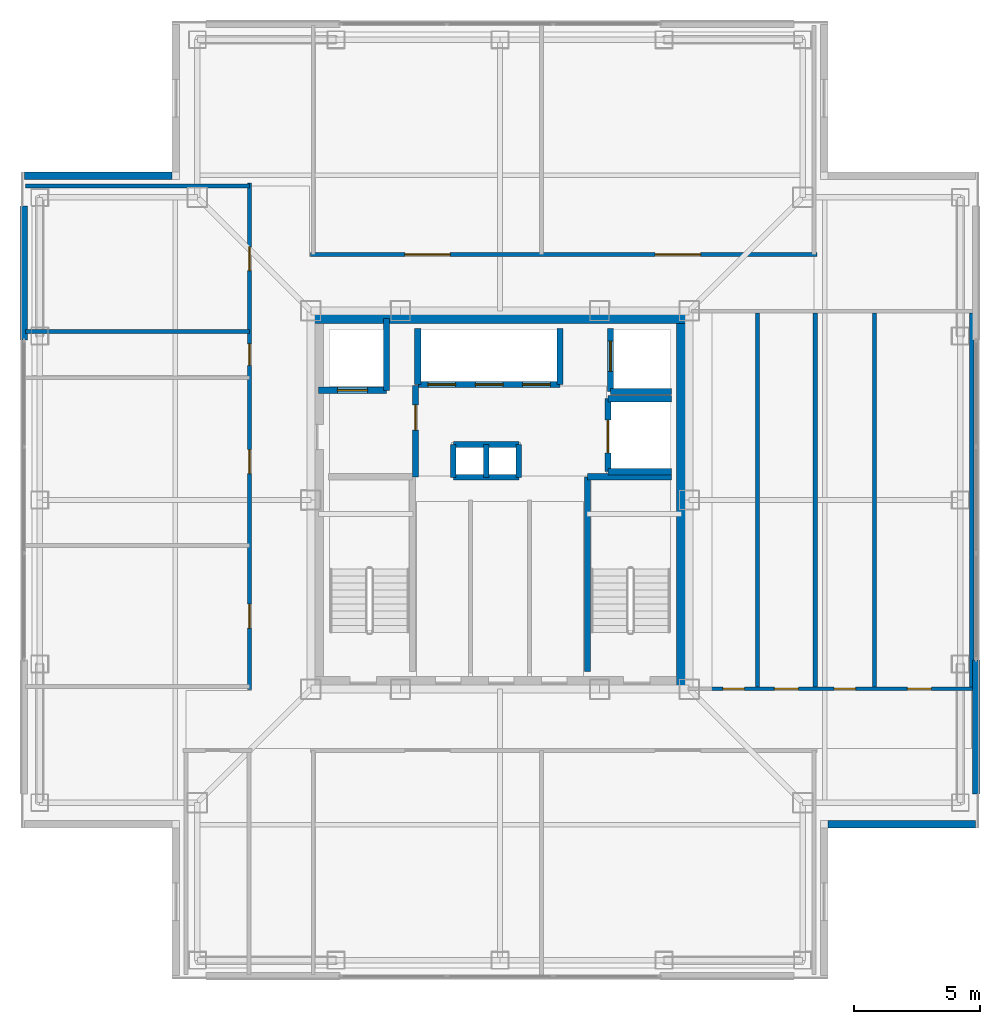
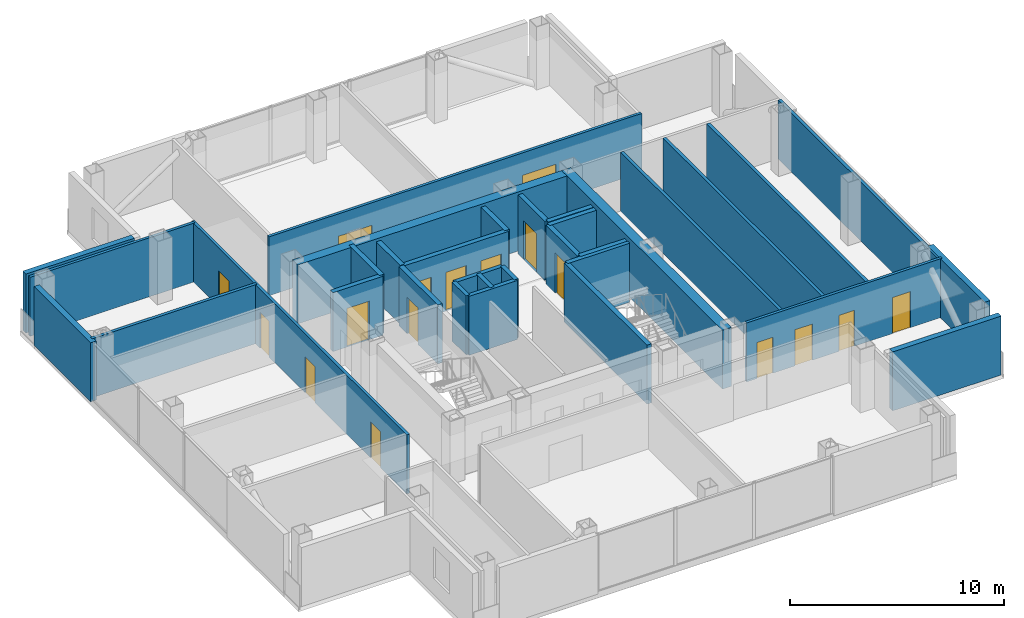
# One storey, part 9 of 16: 33 walls, 17 doors, 17 openings.
"""IFC4 building model written with IfcOpenShell, lengths in metres."""

import ifcopenshell
import ifcopenshell.guid

model = None  # the IFC model being written
_history = None  # IfcOwnerHistory: only IFC2X3 demands one
_inside = {}  # id of a spatial element -> (the spatial element, [elements in it])
_under = {}  # id of a project, library or spatial element -> (it, [spatial elements below it])
_declared = {}  # id of a project -> (the project, [libraries it declares])
_typed = {}  # id of a type object -> (the type object, [elements of that type])
_made_of = {}  # id of a material, layer set ... -> (it, [elements and type objects made of it])


def new_model(schema):
    """Start an empty IFC model of exactly this schema.

    Asked for "IFC4X3", IfcOpenShell would pick the latest addendum, in which some entities
    have other attributes; the version numbers below select the first issue.
    IFC2X3 requires an IfcOwnerHistory on every rooted entity: one is made here for all.
    """
    global model, _history
    if schema == "IFC4X3":
        model = ifcopenshell.file(schema_version=(4, 3, 0, 0))
    else:
        model = ifcopenshell.file(schema=schema)
    _inside.clear()
    _under.clear()
    _declared.clear()
    _typed.clear()
    _made_of.clear()
    _history = None
    if model.schema == "IFC2X3":
        org = make("IfcOrganization", Name="unknown")
        user = make(
            "IfcPersonAndOrganization",
            ThePerson=make("IfcPerson", FamilyName="unknown"),
            TheOrganization=org,
        )
        app = make(
            "IfcApplication",
            ApplicationDeveloper=org,
            Version="unknown",
            ApplicationFullName="unknown",
            ApplicationIdentifier="unknown",
        )
        _history = make(
            "IfcOwnerHistory",
            OwningUser=user,
            OwningApplication=app,
            ChangeAction="ADDED",
            CreationDate=0,
        )
    return model


def make(cls, **values):
    """One entity of the class cls with the attributes given. An attribute that is None is left unset."""
    return model.create_entity(
        cls, **{name: value for name, value in values.items() if value is not None}
    )


def rooted(cls, **values):
    """An entity with a GlobalId (a new one), such as an element, a storey or a relation."""
    return make(cls, GlobalId=ifcopenshell.guid.new(), OwnerHistory=_history, **values)


def si_unit(unit_type, name, prefix=None):
    """IfcSIUnit, for example si_unit("LENGTHUNIT", "METRE", prefix="MILLI")."""
    return make("IfcSIUnit", UnitType=unit_type, Prefix=prefix, Name=name)


def assignment(units):
    """IfcUnitAssignment: the units of a project."""
    return None if units is None else make("IfcUnitAssignment", Units=units)


def point(xyz):
    """IfcCartesianPoint."""
    return None if xyz is None else make("IfcCartesianPoint", Coordinates=xyz)


def direction(xyz):
    """IfcDirection."""
    return None if xyz is None else make("IfcDirection", DirectionRatios=xyz)


def frame(location, z_axis=None, x_axis=None):
    """IfcAxis2Placement3D, a coordinate frame: its origin and axes. An axis left out is left unset."""
    return make(
        "IfcAxis2Placement3D",
        Location=point(location),
        Axis=direction(z_axis),
        RefDirection=direction(x_axis),
    )


def frame_2d(location, x_axis=None):
    """IfcAxis2Placement2D, a coordinate frame in the plane: its origin and x axis."""
    return make(
        "IfcAxis2Placement2D", Location=point(location), RefDirection=direction(x_axis)
    )


def origin():
    """The frame at (0, 0, 0) with its axes left unset."""
    return frame((0.0, 0.0, 0.0))


def place(relative_to, where):
    """IfcLocalPlacement: puts the frame where relative to a parent placement (None: the world)."""
    return make(
        "IfcLocalPlacement", PlacementRelTo=relative_to, RelativePlacement=where
    )


def context(
    kind, dimensions, precision=None, world=None, true_north=None, identifier=None
):
    """IfcGeometricRepresentationContext, for example the 3D "Model" context."""
    return make(
        "IfcGeometricRepresentationContext",
        ContextIdentifier=identifier,
        ContextType=kind,
        CoordinateSpaceDimension=dimensions,
        Precision=precision,
        WorldCoordinateSystem=world,
        TrueNorth=true_north,
    )


def subcontext(parent, identifier, kind, view, scale=None):
    """IfcGeometricRepresentationSubContext, for example "Body" below "Model"."""
    return make(
        "IfcGeometricRepresentationSubContext",
        ContextIdentifier=identifier,
        ContextType=kind,
        ParentContext=parent,
        TargetScale=scale,
        TargetView=view,
    )


def project(units=None, contexts=None):
    """IfcProject with its units and contexts."""
    return rooted(
        "IfcProject",
        Name="project",
        RepresentationContexts=contexts,
        UnitsInContext=assignment(units),
    )


def spatial(cls, under=None, at=None, **own):
    """A site, building, storey or space (cls), placed at a placement, below another one or the project."""
    s = rooted(cls, ObjectPlacement=at, **own)
    if under is not None:
        _under.setdefault(under.id(), (under, []))[1].append(s)
    return s


def profile(cls, at=None, kind="AREA", **sizes):
    """A parametric profile (cls). Its sizes go by their IFC names, for example OverallWidth=200.0."""
    return make(cls, ProfileType=kind, Position=at, **sizes)


def rectangle(**sizes):
    """IfcRectangleProfileDef."""
    return profile("IfcRectangleProfileDef", **sizes)


def extrude(swept, where, along, depth):
    """IfcExtrudedAreaSolid: the profile swept, set in the frame where, extruded along a direction by depth."""
    return make(
        "IfcExtrudedAreaSolid",
        SweptArea=swept,
        Position=where,
        ExtrudedDirection=direction(along),
        Depth=depth,
    )


def shape(context_of_items, identifier, shape_type, items):
    """IfcShapeRepresentation: the items that make up one representation, for example the "Body"."""
    return make(
        "IfcShapeRepresentation",
        ContextOfItems=context_of_items,
        RepresentationIdentifier=identifier,
        RepresentationType=shape_type,
        Items=items,
    )


def material(Name=None, Category=None):
    """IfcMaterial."""
    return make("IfcMaterial", Name=Name, Category=Category)


def layer(
    of_material, thickness, ventilated=None, Name=None, Category=None, Priority=None
):
    """IfcMaterialLayer: one layer of a wall or slab, of a material (None: an air gap)."""
    return make(
        "IfcMaterialLayer",
        Material=of_material,
        LayerThickness=thickness,
        IsVentilated=ventilated,
        Name=Name,
        Category=Category,
        Priority=Priority,
    )


def layer_set(layers, Name=None):
    """IfcMaterialLayerSet."""
    return make("IfcMaterialLayerSet", MaterialLayers=layers, LayerSetName=Name)


def made_of(thing, what):
    """Note that an element or type object is made of a material, layer set ...; save() writes the relation."""
    if what is not None:
        _made_of.setdefault(what.id(), (what, []))[1].append(thing)
    return thing


def type_object(cls, material=None, **own):
    """A type object (cls), such as IfcWallType, which elements share."""
    return made_of(rooted(cls, **own), material)


def element(
    cls,
    number,
    at=None,
    inside=None,
    cuts=None,
    type_object=None,
    material=None,
    context=None,
    identifier="Body",
    shape_type=None,
    held_by="IfcProductDefinitionShape",
    body=None,
    shapes=None,
    **own,
):
    """One element of the class cls, such as IfcWall. Its Tag is "e" and its number.

    at: its placement. inside: the storey or other place that contains it. cuts: it is an
    opening in that element (IfcRelVoidsElement). A single representation is given by context,
    identifier, shape_type and body (its items); several are given by shapes. held_by: the class
    of the entity that holds the representations. save() writes the other relations.
    """
    e = rooted(cls, Tag="e%d" % number, ObjectPlacement=at, **own)
    if body is not None:
        shapes = [shape(context, identifier, shape_type, body)]
    if shapes is not None:
        e.Representation = make(held_by, Representations=shapes)
    if inside is not None:
        _inside.setdefault(inside.id(), (inside, []))[1].append(e)
    if cuts is not None:
        rooted(
            "IfcRelVoidsElement", RelatingBuildingElement=cuts, RelatedOpeningElement=e
        )
    if type_object is not None:
        _typed.setdefault(type_object.id(), (type_object, []))[1].append(e)
    return made_of(e, material)


def fill(opening, filler):
    """IfcRelFillsElement: the door or window that sits in an opening."""
    return rooted(
        "IfcRelFillsElement",
        RelatingOpeningElement=opening,
        RelatedBuildingElement=filler,
    )


def aggregate(whole, parts):
    """IfcRelAggregates: a whole, such as a stair, and the parts it consists of."""
    return rooted("IfcRelAggregates", RelatingObject=whole, RelatedObjects=parts)


def save(model, path):
    """Write the relations noted so far, then the file.

    IfcRelAggregates (storeys below a building ...), IfcRelContainedInSpatialStructure (elements
    in a storey), IfcRelDefinesByType, IfcRelAssociatesMaterial and IfcRelDeclares: one each for
    every whole, place, type object, material and project.
    """
    for whole, parts in _under.values():
        aggregate(whole, parts)
    for where, things in _inside.values():
        rooted(
            "IfcRelContainedInSpatialStructure",
            RelatedElements=things,
            RelatingStructure=where,
        )
    for kind, things in _typed.values():
        rooted("IfcRelDefinesByType", RelatedObjects=things, RelatingType=kind)
    for what, things in _made_of.values():
        rooted("IfcRelAssociatesMaterial", RelatedObjects=things, RelatingMaterial=what)
    for by, libraries in _declared.values():
        rooted("IfcRelDeclares", RelatingContext=by, RelatedDefinitions=libraries)
    model.write(path)


model = new_model("IFC4")

# Units and contexts
model_context = context("Model", 3, precision=1e-05, world=origin(), true_north=direction((0.0, 1.0)))
body_context = subcontext(model_context, "Body", "Model", "MODEL_VIEW")
ifc_project = project(units=[si_unit("LENGTHUNIT", "METRE"), si_unit("AREAUNIT", "SQUARE_METRE"), si_unit("VOLUMEUNIT", "CUBIC_METRE"), si_unit("PLANEANGLEUNIT", "RADIAN"), si_unit("MASSUNIT", "GRAM", prefix="KILO")], contexts=[model_context])

# Site, building, storey
site_placement = place(None, origin())
site = spatial("IfcSite", under=ifc_project, at=site_placement, CompositionType="ELEMENT")
building_placement = place(site_placement, origin())
building = spatial("IfcBuilding", under=site, at=building_placement, Name="Trevonay Congress Spire", CompositionType="ELEMENT")
storey_placement = place(building_placement, frame((0.0, 0.0, 279.199951171875)))
storey = spatial("IfcBuildingStorey", under=building, at=storey_placement, Name="L73", CompositionType="ELEMENT", Elevation=279.199951171875)

# Walls
ifc_material_1 = material(Name="Concrete C50/60", Category="concrete")
ifc_layer_1 = layer(ifc_material_1, 0.5, Name="Concrete C50/60")
ifc_layer_set_1 = layer_set([ifc_layer_1], Name="Concrete C50/60")
wall_type_1 = type_object("IfcWallType", Name="WAL-CORE-500", PredefinedType="SHEAR", material=ifc_layer_set_1)
for number, where, z_axis, x_axis, name in (
    (1, (-7.5, 7.25, 0.0), (0.0, 0.0, 1.0), (1.0, 0.0, 0.0), "L73 North structural core shear wall"),
    (2, (7.25, -7.5, 0.0), (0.0, 0.0, 1.0), (0.0, 1.0, 0.0), "L73 East structural core shear wall"),
):
    element("IfcWall", number, at=place(storey_placement, frame(where, z_axis=z_axis, x_axis=x_axis)), inside=storey, type_object=wall_type_1, Name=name, PredefinedType="SHEAR", context=body_context, shape_type="SweptSolid", body=[
        extrude(rectangle(XDim=15.0, YDim=0.5, at=frame_2d((7.5, 0.0))), origin(), (0.0, 0.0, 1.0), 3.360107421875),
    ])

# Wall, openings, doors
ifc_material_2 = material(Name="Concrete C40/50", Category="concrete")
ifc_layer_2 = layer(ifc_material_2, 0.14990234375, Name="Concrete C40/50")
ifc_layer_set_2 = layer_set([ifc_layer_2], Name="Concrete C40/50")
wall_type_2 = type_object("IfcWallType", Name="WAL-CORR-150", PredefinedType="PARTITIONING", material=ifc_layer_set_2)
wall_1_placement = place(storey_placement, frame((-9.929931640625, -7.52001953125, 0.0), z_axis=(0.0, 0.0, 1.0), x_axis=(0.0, 1.0, 0.0)))
wall_1 = element("IfcWall", 3, at=wall_1_placement, inside=storey, type_object=wall_type_2, Name="L73 interior wall WP-L73NW-COR", PredefinedType="PARTITIONING", context=body_context, shape_type="SweptSolid", body=[
    extrude(rectangle(XDim=20.090087890625, YDim=0.14990234375, at=frame_2d((10.044921875, 0.0))), origin(), (0.0, 0.0, 1.0), 3.360107421875),
])
opening_1_placement = place(wall_1_placement, frame((2.445068359375, 0.0, 0.0)))
opening_1 = element("IfcOpeningElement", 4, at=opening_1_placement, cuts=wall_1, Name="Opening D07", PredefinedType="OPENING", context=body_context, shape_type="SweptSolid", body=[
    extrude(rectangle(XDim=0.949951171875, YDim=2.06005859375, at=frame_2d((0.47509765625, 1.030029296875))), frame((0.0, 0.0849609375, 0.0), z_axis=(0.0, -1.0, 0.0), x_axis=(1.0, 0.0, 0.0)), (0.0, 0.0, 1.0), 0.169921875),
])
opening_2_placement = place(wall_1_placement, frame((8.570068359375, 0.0, 0.0)))
opening_2 = element("IfcOpeningElement", 5, at=opening_2_placement, cuts=wall_1, Name="Opening D07", PredefinedType="OPENING", context=body_context, shape_type="SweptSolid", body=[
    extrude(rectangle(XDim=0.949951171875, YDim=2.06005859375, at=frame_2d((0.47509765625, 1.030029296875))), frame((0.0, 0.0849609375, 0.0), z_axis=(0.0, -1.0, 0.0), x_axis=(1.0, 0.0, 0.0)), (0.0, 0.0, 1.0), 0.169921875),
])
opening_3_placement = place(wall_1_placement, frame((12.860107421875, 0.0, 0.0)))
opening_3 = element("IfcOpeningElement", 6, at=opening_3_placement, cuts=wall_1, Name="Opening D10", PredefinedType="OPENING", context=body_context, shape_type="SweptSolid", body=[
    extrude(rectangle(XDim=0.85009765625, YDim=2.050048828125, at=frame_2d((0.425048828125, 1.02490234375))), frame((0.0, 0.0849609375, 0.0), z_axis=(0.0, -1.0, 0.0), x_axis=(1.0, 0.0, 0.0)), (0.0, 0.0, 1.0), 0.169921875),
])
opening_4_placement = place(wall_1_placement, frame((16.610107421875, 0.0, 0.0)))
opening_4 = element("IfcOpeningElement", 7, at=opening_4_placement, cuts=wall_1, Name="Opening D07", PredefinedType="OPENING", context=body_context, shape_type="SweptSolid", body=[
    extrude(rectangle(XDim=0.949951171875, YDim=2.06005859375, at=frame_2d((0.47509765625, 1.030029296875))), frame((0.0, 0.0849609375, 0.0), z_axis=(0.0, -1.0, 0.0), x_axis=(1.0, 0.0, 0.0)), (0.0, 0.0, 1.0), 0.169921875),
])
ifc_material_3 = material(Name="Pale Anodised Aluminium EN AW-6063-T6", Category="aluminium")
door_type_1 = type_object("IfcDoorType", Name="DOR-OFFICE-95", OperationType="NOTDEFINED", PredefinedType="DOOR", material=ifc_material_3)
door_1_placement = place(opening_1_placement, origin())
door_1 = element("IfcDoor", 8, at=door_1_placement, inside=storey, type_object=door_type_1, Name="L73 Green Bonds Desk Office Door", OperationType="SINGLE_SWING_RIGHT", OverallHeight=2.06005859375, OverallWidth=0.949951171875, PredefinedType="DOOR", context=body_context, shape_type="SweptSolid", body=[
    extrude(rectangle(XDim=0.949951171875, YDim=2.06005859375, at=frame_2d((0.47509765625, 1.030029296875))), frame((0.0, 0.02490234375, 0.0), z_axis=(0.0, -1.0, 0.0), x_axis=(1.0, 0.0, 0.0)), (0.0, 0.0, 1.0), 0.050048828125),
])
fill(opening_1, door_1)
door_2_placement = place(opening_2_placement, origin())
door_2 = element("IfcDoor", 9, at=door_2_placement, inside=storey, type_object=door_type_1, Name="L73 Infrastructure Desk Office Door", OperationType="SINGLE_SWING_LEFT", OverallHeight=2.06005859375, OverallWidth=0.949951171875, PredefinedType="DOOR", context=body_context, shape_type="SweptSolid", body=[
    extrude(rectangle(XDim=0.949951171875, YDim=2.06005859375, at=frame_2d((0.47509765625, 1.030029296875))), frame((0.0, 0.02490234375, 0.0), z_axis=(0.0, -1.0, 0.0), x_axis=(1.0, 0.0, 0.0)), (0.0, 0.0, 1.0), 0.050048828125),
])
fill(opening_2, door_2)
door_3_placement = place(opening_4_placement, origin())
door_3 = element("IfcDoor", 10, at=door_3_placement, inside=storey, type_object=door_type_1, Name="L73 Floor Supplies and Copy Room Door", OperationType="SINGLE_SWING_LEFT", OverallHeight=2.06005859375, OverallWidth=0.949951171875, PredefinedType="DOOR", context=body_context, shape_type="SweptSolid", body=[
    extrude(rectangle(XDim=0.949951171875, YDim=2.06005859375, at=frame_2d((0.47509765625, 1.030029296875))), frame((0.0, 0.02490234375, 0.0), z_axis=(0.0, -1.0, 0.0), x_axis=(1.0, 0.0, 0.0)), (0.0, 0.0, 1.0), 0.050048828125),
])
fill(opening_4, door_3)
door_type_2 = type_object("IfcDoorType", Name="DOR-WC-85", OperationType="NOTDEFINED", PredefinedType="DOOR", material=ifc_material_3)
door_4_placement = place(opening_3_placement, origin())
door_4 = element("IfcDoor", 11, at=door_4_placement, inside=storey, type_object=door_type_2, Name="L73 Accessible WC Door", OperationType="SINGLE_SWING_RIGHT", OverallHeight=2.050048828125, OverallWidth=0.85009765625, PredefinedType="DOOR", context=body_context, shape_type="SweptSolid", body=[
    extrude(rectangle(XDim=0.85009765625, YDim=2.050048828125, at=frame_2d((0.425048828125, 1.02490234375))), frame((0.0, 0.02490234375, 0.0), z_axis=(0.0, -1.0, 0.0), x_axis=(1.0, 0.0, 0.0)), (0.0, 0.0, 1.0), 0.050048828125),
])
fill(opening_3, door_4)

wall_2_placement = place(storey_placement, frame((-7.52001953125, 9.72998046875, 0.0), z_axis=(0.0, 0.0, 1.0), x_axis=(1.0, 0.0, 0.0)))
wall_2 = element("IfcWall", 12, at=wall_2_placement, inside=storey, type_object=wall_type_2, Name="L73 interior wall WP-L73N-COR", PredefinedType="PARTITIONING", context=body_context, shape_type="SweptSolid", body=[
    extrude(rectangle(XDim=20.090087890625, YDim=0.14990234375, at=frame_2d((10.044921875, 0.0))), origin(), (0.0, 0.0, 1.0), 3.360107421875),
])
opening_5_placement = place(wall_2_placement, frame((3.7451171875, 0.0, 0.0)))
opening_5 = element("IfcOpeningElement", 13, at=opening_5_placement, cuts=wall_2, Name="Opening D09", PredefinedType="OPENING", context=body_context, shape_type="SweptSolid", body=[
    extrude(rectangle(XDim=1.800048828125, YDim=2.080078125, at=frame_2d((0.89990234375, 1.0400390625))), frame((0.0, 0.0849609375, 0.0), z_axis=(0.0, -1.0, 0.0), x_axis=(1.0, 0.0, 0.0)), (0.0, 0.0, 1.0), 0.169921875),
])
opening_6_placement = place(wall_2_placement, frame((13.669921875, 0.0, 0.0)))
opening_6 = element("IfcOpeningElement", 14, at=opening_6_placement, cuts=wall_2, Name="Opening D09", PredefinedType="OPENING", context=body_context, shape_type="SweptSolid", body=[
    extrude(rectangle(XDim=1.800048828125, YDim=2.080078125, at=frame_2d((0.89990234375, 1.0400390625))), frame((0.0, 0.0849609375, 0.0), z_axis=(0.0, -1.0, 0.0), x_axis=(1.0, 0.0, 0.0)), (0.0, 0.0, 1.0), 0.169921875),
])
door_type_3 = type_object("IfcDoorType", Name="DOR-CONF-DBL", OperationType="DOUBLE_DOOR_SINGLE_SWING", PredefinedType="DOOR", material=ifc_material_3)
door_5_placement = place(opening_5_placement, origin())
door_5 = element("IfcDoor", 15, at=door_5_placement, inside=storey, type_object=door_type_3, Name="L73 Partner Dining Room Door", OperationType="DOUBLE_DOOR_SINGLE_SWING", OverallHeight=2.080078125, OverallWidth=1.800048828125, PredefinedType="DOOR", context=body_context, shape_type="SweptSolid", body=[
    extrude(rectangle(XDim=1.800048828125, YDim=2.080078125, at=frame_2d((0.89990234375, 1.0400390625))), frame((0.0, 0.02490234375, 0.0), z_axis=(0.0, -1.0, 0.0), x_axis=(1.0, 0.0, 0.0)), (0.0, 0.0, 1.0), 0.050048828125),
])
fill(opening_5, door_5)
door_6_placement = place(opening_6_placement, origin())
door_6 = element("IfcDoor", 16, at=door_6_placement, inside=storey, type_object=door_type_3, Name="L73 Finishing Pantry Kitchen Door", OperationType="DOUBLE_DOOR_SINGLE_SWING", OverallHeight=2.080078125, OverallWidth=1.800048828125, PredefinedType="DOOR", context=body_context, shape_type="SweptSolid", body=[
    extrude(rectangle(XDim=1.800048828125, YDim=2.080078125, at=frame_2d((0.89990234375, 1.0400390625))), frame((0.0, 0.02490234375, 0.0), z_axis=(0.0, -1.0, 0.0), x_axis=(1.0, 0.0, 0.0)), (0.0, 0.0, 1.0), 0.050048828125),
])
fill(opening_6, door_6)

wall_3_placement = place(storey_placement, frame((8.280029296875, -7.47998046875, 0.0), z_axis=(0.0, 0.0, 1.0), x_axis=(1.0, 0.0, 0.0)))
wall_3 = element("IfcWall", 17, at=wall_3_placement, inside=storey, type_object=wall_type_2, Name="L73 interior wall WP-L73E-COR", PredefinedType="PARTITIONING", context=body_context, shape_type="SweptSolid", body=[
    extrude(rectangle(XDim=10.5400390625, YDim=0.14990234375, at=frame_2d((5.27001953125, 0.0))), origin(), (0.0, 0.0, 1.0), 3.360107421875),
])
opening_7_placement = place(wall_3_placement, frame((0.56005859375, 0.0, 0.0)))
opening_7 = element("IfcOpeningElement", 18, at=opening_7_placement, cuts=wall_3, Name="Opening D10", PredefinedType="OPENING", context=body_context, shape_type="SweptSolid", body=[
    extrude(rectangle(XDim=0.85009765625, YDim=2.050048828125, at=frame_2d((0.425048828125, 1.02490234375))), frame((0.0, 0.0849609375, 0.0), z_axis=(0.0, -1.0, 0.0), x_axis=(1.0, 0.0, 0.0)), (0.0, 0.0, 1.0), 0.169921875),
])
opening_8_placement = place(wall_3_placement, frame((2.60009765625, 0.0, 0.0)))
opening_8 = element("IfcOpeningElement", 19, at=opening_8_placement, cuts=wall_3, Name="Opening D07", PredefinedType="OPENING", context=body_context, shape_type="SweptSolid", body=[
    extrude(rectangle(XDim=0.949951171875, YDim=2.06005859375, at=frame_2d((0.47509765625, 1.030029296875))), frame((0.0, 0.0849609375, 0.0), z_axis=(0.0, -1.0, 0.0), x_axis=(1.0, 0.0, 0.0)), (0.0, 0.0, 1.0), 0.169921875),
])
opening_9_placement = place(wall_3_placement, frame((4.969970703125, 0.0, 0.0)))
opening_9 = element("IfcOpeningElement", 20, at=opening_9_placement, cuts=wall_3, Name="Opening D10", PredefinedType="OPENING", context=body_context, shape_type="SweptSolid", body=[
    extrude(rectangle(XDim=0.85009765625, YDim=2.050048828125, at=frame_2d((0.425048828125, 1.02490234375))), frame((0.0, 0.0849609375, 0.0), z_axis=(0.0, -1.0, 0.0), x_axis=(1.0, 0.0, 0.0)), (0.0, 0.0, 1.0), 0.169921875),
])
opening_10_placement = place(wall_3_placement, frame((7.8701171875, 0.0, 0.0)))
opening_10 = element("IfcOpeningElement", 21, at=opening_10_placement, cuts=wall_3, Name="Opening D07", PredefinedType="OPENING", context=body_context, shape_type="SweptSolid", body=[
    extrude(rectangle(XDim=0.949951171875, YDim=2.06005859375, at=frame_2d((0.47509765625, 1.030029296875))), frame((0.0, 0.0849609375, 0.0), z_axis=(0.0, -1.0, 0.0), x_axis=(1.0, 0.0, 0.0)), (0.0, 0.0, 1.0), 0.169921875),
])
door_7_placement = place(opening_8_placement, origin())
door_7 = element("IfcDoor", 22, at=door_7_placement, inside=storey, type_object=door_type_1, Name="L73 Floor Supplies and Copy Room Door", OperationType="SINGLE_SWING_LEFT", OverallHeight=2.06005859375, OverallWidth=0.949951171875, PredefinedType="DOOR", context=body_context, shape_type="SweptSolid", body=[
    extrude(rectangle(XDim=0.949951171875, YDim=2.06005859375, at=frame_2d((0.47509765625, 1.030029296875))), frame((0.0, 0.02490234375, 0.0), z_axis=(0.0, -1.0, 0.0), x_axis=(1.0, 0.0, 0.0)), (0.0, 0.0, 1.0), 0.050048828125),
])
fill(opening_8, door_7)
door_8_placement = place(opening_10_placement, origin())
door_8 = element("IfcDoor", 23, at=door_8_placement, inside=storey, type_object=door_type_1, Name="L73 Floor Supplies and Copy Room Door", OperationType="SINGLE_SWING_LEFT", OverallHeight=2.06005859375, OverallWidth=0.949951171875, PredefinedType="DOOR", context=body_context, shape_type="SweptSolid", body=[
    extrude(rectangle(XDim=0.949951171875, YDim=2.06005859375, at=frame_2d((0.47509765625, 1.030029296875))), frame((0.0, 0.02490234375, 0.0), z_axis=(0.0, -1.0, 0.0), x_axis=(1.0, 0.0, 0.0)), (0.0, 0.0, 1.0), 0.050048828125),
])
fill(opening_10, door_8)
door_9_placement = place(opening_7_placement, origin())
door_9 = element("IfcDoor", 24, at=door_9_placement, inside=storey, type_object=door_type_2, Name="L73 Female Restroom WC Door", OperationType="SINGLE_SWING_RIGHT", OverallHeight=2.050048828125, OverallWidth=0.85009765625, PredefinedType="DOOR", context=body_context, shape_type="SweptSolid", body=[
    extrude(rectangle(XDim=0.85009765625, YDim=2.050048828125, at=frame_2d((0.425048828125, 1.02490234375))), frame((0.0, 0.02490234375, 0.0), z_axis=(0.0, -1.0, 0.0), x_axis=(1.0, 0.0, 0.0)), (0.0, 0.0, 1.0), 0.050048828125),
])
fill(opening_7, door_9)
door_10_placement = place(opening_9_placement, origin())
door_10 = element("IfcDoor", 25, at=door_10_placement, inside=storey, type_object=door_type_2, Name="L73 Male Restroom WC Door", OperationType="SINGLE_SWING_RIGHT", OverallHeight=2.050048828125, OverallWidth=0.85009765625, PredefinedType="DOOR", context=body_context, shape_type="SweptSolid", body=[
    extrude(rectangle(XDim=0.85009765625, YDim=2.050048828125, at=frame_2d((0.425048828125, 1.02490234375))), frame((0.0, 0.02490234375, 0.0), z_axis=(0.0, -1.0, 0.0), x_axis=(1.0, 0.0, 0.0)), (0.0, 0.0, 1.0), 0.050048828125),
])
fill(opening_9, door_10)

# Walls
ifc_material_4 = material(Name="Precast concrete C40/50", Category="concrete")
ifc_layer_3 = layer(ifc_material_4, 0.300048828125, Name="Precast concrete C40/50")
ifc_layer_set_3 = layer_set([ifc_layer_3], Name="Precast concrete C40/50")
wall_type_3 = type_object("IfcWallType", Name="WAL-EXT-PRECAST-300", PredefinedType="SOLIDWALL", material=ifc_layer_set_3)
for number, where, z_axis, x_axis, name in (
    (26, (-18.8798828125, 6.35009765625, 0.0), (0.0, 0.0, 1.0), (0.0, 1.0, 0.0), "L73 WR braced-bay exterior pier wall"),
    (27, (18.8798828125, -11.64990234375, 0.0), (0.0, 0.0, 1.0), (0.0, 1.0, 0.0), "L73 EL braced-bay exterior pier wall"),
):
    element("IfcWall", number, at=place(storey_placement, frame(where, z_axis=z_axis, x_axis=x_axis)), inside=storey, type_object=wall_type_3, Name=name, PredefinedType="SOLIDWALL", context=body_context, shape_type="SweptSolid", body=[
        extrude(rectangle(XDim=5.2998046875, YDim=0.300048828125, at=frame_2d((2.64990234375, 0.0))), origin(), (0.0, 0.0, 1.0), 3.360107421875),
    ])
for number, where, z_axis, x_axis, name in (
    (28, (18.85009765625, -12.85009765625, 0.0), (0.0, 0.0, 1.0), (-1.0, 0.0, 0.0), "L73 SE re-entrant notch exterior wall 2"),
    (29, (-18.85009765625, 12.85009765625, 0.0), (0.0, 0.0, 1.0), (1.0, 0.0, 0.0), "L73 NW re-entrant notch exterior wall 2"),
):
    element("IfcWall", number, at=place(storey_placement, frame(where, z_axis=z_axis, x_axis=x_axis)), inside=storey, type_object=wall_type_3, Name=name, PredefinedType="SOLIDWALL", context=body_context, shape_type="SweptSolid", body=[
        extrude(rectangle(XDim=5.85009765625, YDim=0.300048828125, at=frame_2d((2.925048828125, 0.0))), origin(), (0.0, 0.0, 1.0), 3.360107421875),
    ])
ifc_layer_4 = layer(ifc_material_2, 0.14990234375, Name="Concrete C40/50")
ifc_layer_set_4 = layer_set([ifc_layer_4], Name="Concrete C40/50")
wall_type_4 = type_object("IfcWallType", Name="WAL-PART-150", PredefinedType="PARTITIONING", material=ifc_layer_set_4)
wall_4_placement = place(storey_placement, frame((-18.820068359375, 12.449951171875, 0.0), z_axis=(0.0, 0.0, 1.0), x_axis=(1.0, 0.0, 0.0)))
element("IfcWall", 30, at=wall_4_placement, inside=storey, type_object=wall_type_4, Name="L73 interior wall WP-L73NW-DIV4", PredefinedType="PARTITIONING", context=body_context, shape_type="SweptSolid", body=[
    extrude(rectangle(XDim=8.89013671875, YDim=0.14990234375, at=frame_2d((4.445068359375, 0.0))), origin(), (0.0, 0.0, 1.0), 3.360107421875),
])
ifc_layer_5 = layer(ifc_material_2, 0.219970703125, Name="Concrete C40/50")
ifc_layer_set_5 = layer_set([ifc_layer_5], Name="Concrete C40/50")
wall_type_5 = type_object("IfcWallType", Name="WAL-SHAFT-220", PredefinedType="PARTITIONING", material=ifc_layer_set_5)
for number, where, z_axis, x_axis, name in (
    (31, (-1.85009765625, 2.199951171875, 0.0), (0.0, 0.0, 1.0), (1.0, 0.0, 0.0), "L73 interior shaft wall WSH-L73-RSR-N"),
    (32, (-1.85009765625, 0.89990234375, 0.0), (0.0, 0.0, 1.0), (1.0, 0.0, 0.0), "L73 interior shaft wall WSH-L73-RSR-S"),
):
    element("IfcWall", number, at=place(storey_placement, frame(where, z_axis=z_axis, x_axis=x_axis)), inside=storey, type_object=wall_type_5, Name=name, PredefinedType="PARTITIONING", context=body_context, shape_type="SweptSolid", body=[
        extrude(rectangle(XDim=2.60009765625, YDim=0.219970703125, at=frame_2d((1.300048828125, 0.0))), origin(), (0.0, 0.0, 1.0), 3.360107421875),
    ])
for number, where, z_axis, x_axis, name in (
    (33, (-0.550048828125, 0.89990234375, 0.0), (0.0, 0.0, 1.0), (0.0, 1.0, 0.0), "L73 interior shaft wall WSH-L73-RSR-M"),
    (34, (0.75, 0.89990234375, 0.0), (0.0, 0.0, 1.0), (0.0, 1.0, 0.0), "L73 interior shaft wall WSH-L73-RSR-E"),
    (35, (-1.85009765625, 0.89990234375, 0.0), (0.0, 0.0, 1.0), (0.0, 1.0, 0.0), "L73 interior shaft wall WSH-L73-RSR-W"),
):
    element("IfcWall", number, at=place(storey_placement, frame(where, z_axis=z_axis, x_axis=x_axis)), inside=storey, type_object=wall_type_5, Name=name, PredefinedType="PARTITIONING", context=body_context, shape_type="SweptSolid", body=[
        extrude(rectangle(XDim=1.300048828125, YDim=0.219970703125, at=frame_2d((0.64990234375, 0.0))), origin(), (0.0, 0.0, 1.0), 3.360107421875),
    ])

# Wall, openings, doors
ifc_layer_6 = layer(ifc_material_2, 0.25, Name="Concrete C40/50")
ifc_layer_set_6 = layer_set([ifc_layer_6], Name="Concrete C40/50")
wall_type_6 = type_object("IfcWallType", Name="WAL-SHAFT-250", PredefinedType="SHEAR", material=ifc_layer_set_6)
wall_5_placement = place(storey_placement, frame((-3.260009765625, 4.580078125, 0.0), z_axis=(0.0, 0.0, 1.0), x_axis=(1.0, 0.0, 0.0)))
wall_5 = element("IfcWall", 36, at=wall_5_placement, inside=storey, type_object=wall_type_6, Name="L73 interior shaft wall WSH-L73-B3-S", PredefinedType="SHEAR", context=body_context, shape_type="SweptSolid", body=[
    extrude(rectangle(XDim=5.639892578125, YDim=0.25, at=frame_2d((2.81982421875, 0.0))), origin(), (0.0, 0.0, 1.0), 3.360107421875),
])
opening_11_placement = place(wall_5_placement, frame((0.39990234375, 0.0, 0.0)))
opening_11 = element("IfcOpeningElement", 37, at=opening_11_placement, cuts=wall_5, Name="Opening LD03", PredefinedType="OPENING", context=body_context, shape_type="SweptSolid", body=[
    extrude(rectangle(XDim=1.10009765625, YDim=2.199951171875, at=frame_2d((0.550048828125, 1.10009765625))), frame((0.0, 0.135009765625, 0.0), z_axis=(0.0, -1.0, 0.0), x_axis=(1.0, 0.0, 0.0)), (0.0, 0.0, 1.0), 0.27001953125),
])
opening_12_placement = place(wall_5_placement, frame((2.280029296875, 0.0, 0.0)))
opening_12 = element("IfcOpeningElement", 38, at=opening_12_placement, cuts=wall_5, Name="Opening LD03", PredefinedType="OPENING", context=body_context, shape_type="SweptSolid", body=[
    extrude(rectangle(XDim=1.10009765625, YDim=2.199951171875, at=frame_2d((0.550048828125, 1.10009765625))), frame((0.0, 0.135009765625, 0.0), z_axis=(0.0, -1.0, 0.0), x_axis=(1.0, 0.0, 0.0)), (0.0, 0.0, 1.0), 0.27001953125),
])
opening_13_placement = place(wall_5_placement, frame((4.159912109375, 0.0, 0.0)))
opening_13 = element("IfcOpeningElement", 39, at=opening_13_placement, cuts=wall_5, Name="Opening LD03", PredefinedType="OPENING", context=body_context, shape_type="SweptSolid", body=[
    extrude(rectangle(XDim=1.10009765625, YDim=2.199951171875, at=frame_2d((0.550048828125, 1.10009765625))), frame((0.0, 0.135009765625, 0.0), z_axis=(0.0, -1.0, 0.0), x_axis=(1.0, 0.0, 0.0)), (0.0, 0.0, 1.0), 0.27001953125),
])
door_type_4 = type_object("IfcDoorType", Name="DOR-LIFT-LD03", OperationType="DOUBLE_DOOR_SLIDING", PredefinedType="DOOR", material=ifc_material_3)
door_11_placement = place(opening_11_placement, origin())
door_11 = element("IfcDoor", 40, at=door_11_placement, inside=storey, type_object=door_type_4, Name="L73 Passenger lift PL-07 landing door", OperationType="DOUBLE_DOOR_SLIDING", OverallHeight=2.199951171875, OverallWidth=1.10009765625, PredefinedType="DOOR", context=body_context, shape_type="SweptSolid", body=[
    extrude(rectangle(XDim=1.10009765625, YDim=2.199951171875, at=frame_2d((0.550048828125, 1.10009765625))), frame((0.0, 0.02490234375, 0.0), z_axis=(0.0, -1.0, 0.0), x_axis=(1.0, 0.0, 0.0)), (0.0, 0.0, 1.0), 0.050048828125),
])
fill(opening_11, door_11)
door_12_placement = place(opening_12_placement, origin())
door_12 = element("IfcDoor", 41, at=door_12_placement, inside=storey, type_object=door_type_4, Name="L73 Passenger lift PL-08 landing door", OperationType="DOUBLE_DOOR_SLIDING", OverallHeight=2.199951171875, OverallWidth=1.10009765625, PredefinedType="DOOR", context=body_context, shape_type="SweptSolid", body=[
    extrude(rectangle(XDim=1.10009765625, YDim=2.199951171875, at=frame_2d((0.550048828125, 1.10009765625))), frame((0.0, 0.02490234375, 0.0), z_axis=(0.0, -1.0, 0.0), x_axis=(1.0, 0.0, 0.0)), (0.0, 0.0, 1.0), 0.050048828125),
])
fill(opening_12, door_12)
door_13_placement = place(opening_13_placement, origin())
door_13 = element("IfcDoor", 42, at=door_13_placement, inside=storey, type_object=door_type_4, Name="L73 Passenger lift PL-09 landing door", OperationType="DOUBLE_DOOR_SLIDING", OverallHeight=2.199951171875, OverallWidth=1.10009765625, PredefinedType="DOOR", context=body_context, shape_type="SweptSolid", body=[
    extrude(rectangle(XDim=1.10009765625, YDim=2.199951171875, at=frame_2d((0.550048828125, 1.10009765625))), frame((0.0, 0.02490234375, 0.0), z_axis=(0.0, -1.0, 0.0), x_axis=(1.0, 0.0, 0.0)), (0.0, 0.0, 1.0), 0.050048828125),
])
fill(opening_13, door_13)

# Walls
for number, where, z_axis, x_axis, name in (
    (43, (-3.260009765625, 4.580078125, 0.0), (0.0, 0.0, 1.0), (0.0, 1.0, 0.0), "L73 interior shaft wall WSH-L73-B3-W"),
    (44, (2.3798828125, 4.580078125, 0.0), (0.0, 0.0, 1.0), (0.0, 1.0, 0.0), "L73 interior shaft wall WSH-L73-B3-E"),
):
    element("IfcWall", number, at=place(storey_placement, frame(where, z_axis=z_axis, x_axis=x_axis)), inside=storey, type_object=wall_type_6, Name=name, PredefinedType="SHEAR", context=body_context, shape_type="SweptSolid", body=[
        extrude(rectangle(XDim=2.219970703125, YDim=0.25, at=frame_2d((1.10986328125, 0.0))), origin(), (0.0, 0.0, 1.0), 3.360107421875),
    ])

# Wall, opening, door
wall_6_placement = place(storey_placement, frame((-7.199951171875, 4.35009765625, 0.0), z_axis=(0.0, 0.0, 1.0), x_axis=(1.0, 0.0, 0.0)))
wall_6 = element("IfcWall", 45, at=wall_6_placement, inside=storey, type_object=wall_type_6, Name="L73 interior shaft wall WSH-L73-FF1-S", PredefinedType="SHEAR", context=body_context, shape_type="SweptSolid", body=[
    extrude(rectangle(XDim=2.699951171875, YDim=0.25, at=frame_2d((1.35009765625, 0.0))), origin(), (0.0, 0.0, 1.0), 3.360107421875),
])
opening_14_placement = place(wall_6_placement, frame((0.75, 0.0, 0.0)))
opening_14 = element("IfcOpeningElement", 46, at=opening_14_placement, cuts=wall_6, Name="Opening LD04", PredefinedType="OPENING", context=body_context, shape_type="SweptSolid", body=[
    extrude(rectangle(XDim=1.199951171875, YDim=2.199951171875, at=frame_2d((0.60009765625, 1.10009765625))), frame((0.0, 0.135009765625, 0.0), z_axis=(0.0, -1.0, 0.0), x_axis=(1.0, 0.0, 0.0)), (0.0, 0.0, 1.0), 0.27001953125),
])
ifc_material_5 = material(Name="Steel ASTM A572 Grade 50", Category="steel")
door_type_5 = type_object("IfcDoorType", Name="DOR-LIFT-LD04", OperationType="DOUBLE_DOOR_SLIDING", PredefinedType="DOOR", material=ifc_material_5)
door_14_placement = place(opening_14_placement, origin())
door_14 = element("IfcDoor", 47, at=door_14_placement, inside=storey, type_object=door_type_5, Name="L73 Firefighting lift FFL-01 landing door", OperationType="DOUBLE_DOOR_SLIDING", OverallHeight=2.199951171875, OverallWidth=1.199951171875, PredefinedType="DOOR", context=body_context, shape_type="SweptSolid", body=[
    extrude(rectangle(XDim=1.199951171875, YDim=2.199951171875, at=frame_2d((0.60009765625, 1.10009765625))), frame((0.0, 0.02490234375, 0.0), z_axis=(0.0, -1.0, 0.0), x_axis=(1.0, 0.0, 0.0)), (0.0, 0.0, 1.0), 0.050048828125),
])
fill(opening_14, door_14)

# Walls
wall_7_placement = place(storey_placement, frame((-4.5, 4.35009765625, 0.0), z_axis=(0.0, 0.0, 1.0), x_axis=(0.0, 1.0, 0.0)))
element("IfcWall", 48, at=wall_7_placement, inside=storey, type_object=wall_type_6, Name="L73 interior shaft wall WSH-L73-FF1-E", PredefinedType="SHEAR", context=body_context, shape_type="SweptSolid", body=[
    extrude(rectangle(XDim=2.849853515625, YDim=0.25, at=frame_2d((1.4248046875, 0.0))), origin(), (0.0, 0.0, 1.0), 3.360107421875),
])
wall_8_placement = place(storey_placement, frame((4.3798828125, 4.300048828125, 0.0), z_axis=(0.0, 0.0, 1.0), x_axis=(1.0, 0.0, 0.0)))
element("IfcWall", 49, at=wall_8_placement, inside=storey, type_object=wall_type_6, Name="L73 interior shaft wall WSH-L73-FF2-S", PredefinedType="SHEAR", context=body_context, shape_type="SweptSolid", body=[
    extrude(rectangle(XDim=2.420166015625, YDim=0.25, at=frame_2d((1.2099609375, 0.0))), origin(), (0.0, 0.0, 1.0), 3.360107421875),
])

# Wall, opening, door
wall_9_placement = place(storey_placement, frame((4.3798828125, 4.300048828125, 0.0), z_axis=(0.0, 0.0, 1.0), x_axis=(0.0, 1.0, 0.0)))
wall_9 = element("IfcWall", 50, at=wall_9_placement, inside=storey, type_object=wall_type_6, Name="L73 interior shaft wall WSH-L73-FF2-W", PredefinedType="SHEAR", context=body_context, shape_type="SweptSolid", body=[
    extrude(rectangle(XDim=2.5, YDim=0.25, at=frame_2d((1.25, 0.0))), origin(), (0.0, 0.0, 1.0), 3.360107421875),
])
opening_15_placement = place(wall_9_placement, frame((0.800048828125, 0.0, 0.0)))
opening_15 = element("IfcOpeningElement", 51, at=opening_15_placement, cuts=wall_9, Name="Opening LD04", PredefinedType="OPENING", context=body_context, shape_type="SweptSolid", body=[
    extrude(rectangle(XDim=1.199951171875, YDim=2.199951171875, at=frame_2d((0.60009765625, 1.10009765625))), frame((0.0, 0.135009765625, 0.0), z_axis=(0.0, -1.0, 0.0), x_axis=(1.0, 0.0, 0.0)), (0.0, 0.0, 1.0), 0.27001953125),
])
door_15_placement = place(opening_15_placement, origin())
door_15 = element("IfcDoor", 52, at=door_15_placement, inside=storey, type_object=door_type_5, Name="L73 Firefighting lift FFL-02 landing door", OperationType="DOUBLE_DOOR_SLIDING", OverallHeight=2.199951171875, OverallWidth=1.199951171875, PredefinedType="DOOR", context=body_context, shape_type="SweptSolid", body=[
    extrude(rectangle(XDim=1.199951171875, YDim=2.199951171875, at=frame_2d((0.60009765625, 1.10009765625))), frame((0.0, 0.02490234375, 0.0), z_axis=(0.0, -1.0, 0.0), x_axis=(1.0, 0.0, 0.0)), (0.0, 0.0, 1.0), 0.050048828125),
])
fill(opening_15, door_15)

wall_10_placement = place(storey_placement, frame((4.280029296875, 1.1201171875, 0.0), z_axis=(0.0, 0.0, 1.0), x_axis=(0.0, 1.0, 0.0)))
wall_10 = element("IfcWall", 53, at=wall_10_placement, inside=storey, type_object=wall_type_6, Name="L73 interior shaft wall WSH-L73-SV-W", PredefinedType="SHEAR", context=body_context, shape_type="SweptSolid", body=[
    extrude(rectangle(XDim=2.89990234375, YDim=0.25, at=frame_2d((1.449951171875, 0.0))), origin(), (0.0, 0.0, 1.0), 3.360107421875),
])
opening_16_placement = place(wall_10_placement, frame((0.75, 0.0, 0.0)))
opening_16 = element("IfcOpeningElement", 54, at=opening_16_placement, cuts=wall_10, Name="Opening LD05", PredefinedType="OPENING", context=body_context, shape_type="SweptSolid", body=[
    extrude(rectangle(XDim=1.300048828125, YDim=2.300048828125, at=frame_2d((0.64990234375, 1.14990234375))), frame((0.0, 0.135009765625, 0.0), z_axis=(0.0, -1.0, 0.0), x_axis=(1.0, 0.0, 0.0)), (0.0, 0.0, 1.0), 0.27001953125),
])
door_type_6 = type_object("IfcDoorType", Name="DOR-LIFT-LD05", OperationType="DOUBLE_DOOR_SLIDING", PredefinedType="DOOR", material=ifc_material_5)
door_16_placement = place(opening_16_placement, origin())
door_16 = element("IfcDoor", 55, at=door_16_placement, inside=storey, type_object=door_type_6, Name="L73 Goods lift SVL-01 landing door", OperationType="DOUBLE_DOOR_SLIDING", OverallHeight=2.300048828125, OverallWidth=1.300048828125, PredefinedType="DOOR", context=body_context, shape_type="SweptSolid", body=[
    extrude(rectangle(XDim=1.300048828125, YDim=2.300048828125, at=frame_2d((0.64990234375, 1.14990234375))), frame((0.0, 0.02490234375, 0.0), z_axis=(0.0, -1.0, 0.0), x_axis=(1.0, 0.0, 0.0)), (0.0, 0.0, 1.0), 0.050048828125),
])
fill(opening_16, door_16)

# Walls
for number, where, z_axis, x_axis, name in (
    (56, (4.280029296875, 1.1201171875, 0.0), (0.0, 0.0, 1.0), (1.0, 0.0, 0.0), "L73 interior shaft wall WSH-L73-SV-S"),
    (57, (4.280029296875, 4.02001953125, 0.0), (0.0, 0.0, 1.0), (1.0, 0.0, 0.0), "L73 interior shaft wall WSH-L73-SV-N"),
):
    element("IfcWall", number, at=place(storey_placement, frame(where, z_axis=z_axis, x_axis=x_axis)), inside=storey, type_object=wall_type_6, Name=name, PredefinedType="SHEAR", context=body_context, shape_type="SweptSolid", body=[
        extrude(rectangle(XDim=2.52001953125, YDim=0.25, at=frame_2d((1.260009765625, 0.0))), origin(), (0.0, 0.0, 1.0), 3.360107421875),
    ])

# Wall, opening, door
wall_11_placement = place(storey_placement, frame((-3.35009765625, 0.919921875, 0.0), z_axis=(0.0, 0.0, 1.0), x_axis=(0.0, 1.0, 0.0)))
wall_11 = element("IfcWall", 58, at=wall_11_placement, inside=storey, type_object=wall_type_6, Name="L73 interior wall CW-FFLW-E-L73", PredefinedType="SHEAR", context=body_context, shape_type="SweptSolid", body=[
    extrude(rectangle(XDim=3.6201171875, YDim=0.25, at=frame_2d((1.81005859375, 0.0))), origin(), (0.0, 0.0, 1.0), 3.360107421875),
])
opening_17_placement = place(wall_11_placement, frame((1.85009765625, 0.0, 0.0)))
opening_17 = element("IfcOpeningElement", 59, at=opening_17_placement, cuts=wall_11, Name="Opening D06", PredefinedType="OPENING", context=body_context, shape_type="SweptSolid", body=[
    extrude(rectangle(XDim=1.0, YDim=2.080078125, at=frame_2d((0.5, 1.0400390625))), frame((0.0, 0.135009765625, 0.0), z_axis=(0.0, -1.0, 0.0), x_axis=(1.0, 0.0, 0.0)), (0.0, 0.0, 1.0), 0.27001953125),
])
door_type_7 = type_object("IfcDoorType", Name="DOR-FIRE-100", OperationType="NOTDEFINED", PredefinedType="DOOR", material=ifc_material_5)
door_17_placement = place(opening_17_placement, origin())
door_17 = element("IfcDoor", 60, at=door_17_placement, inside=storey, type_object=door_type_7, Name="L73 Firefighting Core Lobby Transfer Door", OperationType="SINGLE_SWING_RIGHT", OverallHeight=2.080078125, OverallWidth=1.0, PredefinedType="DOOR", context=body_context, shape_type="SweptSolid", body=[
    extrude(rectangle(XDim=1.0, YDim=2.080078125, at=frame_2d((0.5, 1.0400390625))), frame((0.0, 0.02490234375, 0.0), z_axis=(0.0, -1.0, 0.0), x_axis=(1.0, 0.0, 0.0)), (0.0, 0.0, 1.0), 0.050048828125),
])
fill(opening_17, door_17)

# Walls
ifc_layer_7 = layer(ifc_material_2, 0.25, Name="Concrete C40/50")
ifc_layer_set_7 = layer_set([ifc_layer_7], Name="Concrete C40/50")
wall_type_7 = type_object("IfcWallType", Name="WAL-SHAFT-LB-250", PredefinedType="SHEAR", material=ifc_layer_set_7)
wall_12_placement = place(storey_placement, frame((3.469970703125, -6.800048828125, 0.0), z_axis=(0.0, 0.0, 1.0), x_axis=(0.0, 1.0, 0.0)))
element("IfcWall", 61, at=wall_12_placement, inside=storey, type_object=wall_type_7, Name="L73 interior shaft wall WSH-L73-ST2-W", PredefinedType="SHEAR", context=body_context, shape_type="SweptSolid", body=[
    extrude(rectangle(XDim=7.719970703125, YDim=0.25, at=frame_2d((3.85986328125, 0.0))), origin(), (0.0, 0.0, 1.0), 3.360107421875),
])
wall_13_placement = place(storey_placement, frame((3.469970703125, 0.919921875, 0.0), z_axis=(0.0, 0.0, 1.0), x_axis=(1.0, 0.0, 0.0)))
element("IfcWall", 62, at=wall_13_placement, inside=storey, type_object=wall_type_7, Name="L73 interior shaft wall WSH-L73-ST2-N", PredefinedType="SHEAR", context=body_context, shape_type="SweptSolid", body=[
    extrude(rectangle(XDim=3.330078125, YDim=0.25, at=frame_2d((1.6650390625, 0.0))), origin(), (0.0, 0.0, 1.0), 3.360107421875),
])
ifc_layer_8 = layer(ifc_material_2, 0.1650390625, Name="Concrete C40/50")
ifc_layer_set_8 = layer_set([ifc_layer_8], Name="Concrete C40/50")
wall_type_8 = type_object("IfcWallType", Name="WAL-WET-165", PredefinedType="PLUMBINGWALL", material=ifc_layer_set_8)
wall_14_placement = place(storey_placement, frame((-18.820068359375, 6.679931640625, 0.0), z_axis=(0.0, 0.0, 1.0), x_axis=(1.0, 0.0, 0.0)))
element("IfcWall", 63, at=wall_14_placement, inside=storey, type_object=wall_type_8, Name="L73 interior wall WP-L73NW-WCS3", PredefinedType="PLUMBINGWALL", context=body_context, shape_type="SweptSolid", body=[
    extrude(rectangle(XDim=8.89013671875, YDim=0.1650390625, at=frame_2d((4.445068359375, 0.0))), origin(), (0.0, 0.0, 1.0), 3.360107421875),
])
for number, where, z_axis, x_axis, name in (
    (64, (10.2099609375, -7.47998046875, 0.0), (0.0, 0.0, 1.0), (0.0, 1.0, 0.0), "L73 interior wall WP-L73E-WCS1"),
    (65, (14.85009765625, -7.47998046875, 0.0), (0.0, 0.0, 1.0), (0.0, 1.0, 0.0), "L73 interior wall WP-L73E-WCS2"),
    (66, (12.5, -7.47998046875, 0.0), (0.0, 0.0, 1.0), (0.0, 1.0, 0.0), "L73 interior wall WP-L73E-DIV1"),
    (67, (18.699951171875, -7.47998046875, 0.0), (0.0, 0.0, 1.0), (0.0, 1.0, 0.0), "L73 interior wall WP-L73E-DIV2"),
):
    element("IfcWall", number, at=place(storey_placement, frame(where, z_axis=z_axis, x_axis=x_axis)), inside=storey, type_object=wall_type_8, Name=name, PredefinedType="PLUMBINGWALL", context=body_context, shape_type="SweptSolid", body=[
        extrude(rectangle(XDim=14.89990234375, YDim=0.1650390625, at=frame_2d((7.449951171875, 0.0))), origin(), (0.0, 0.0, 1.0), 3.360107421875),
    ])

save(model, "model.ifc")
